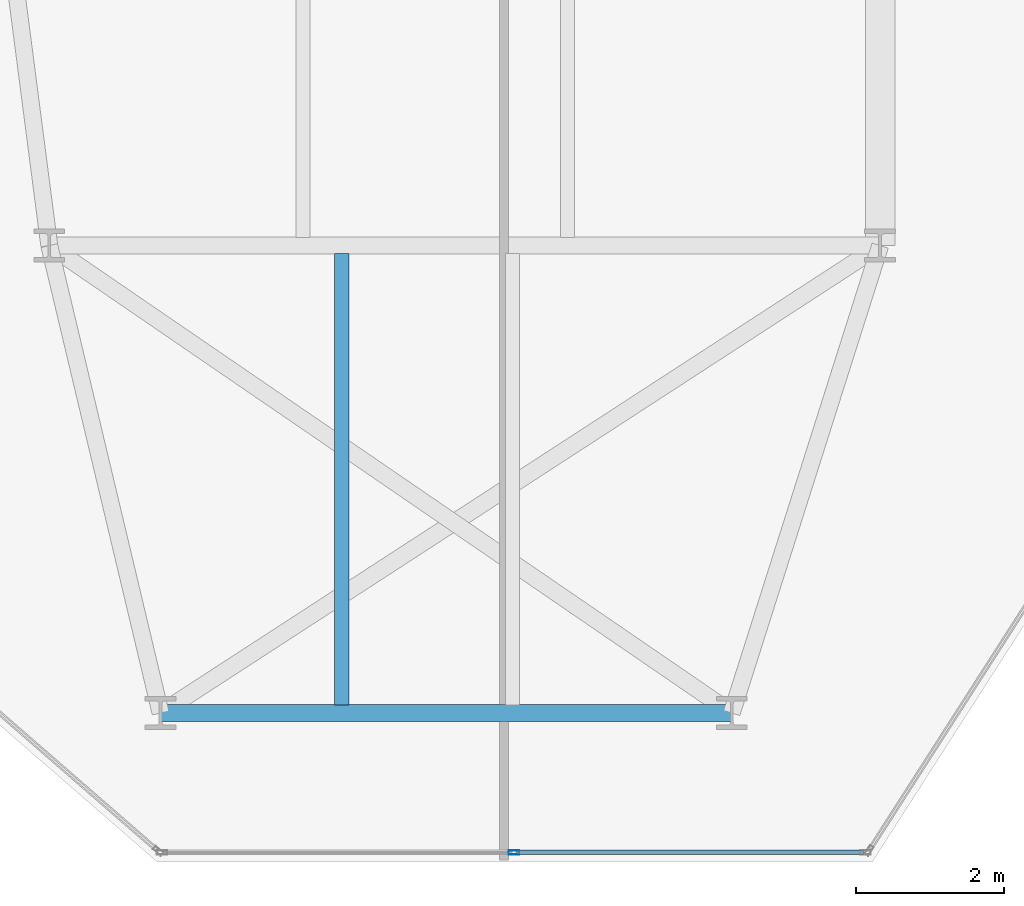
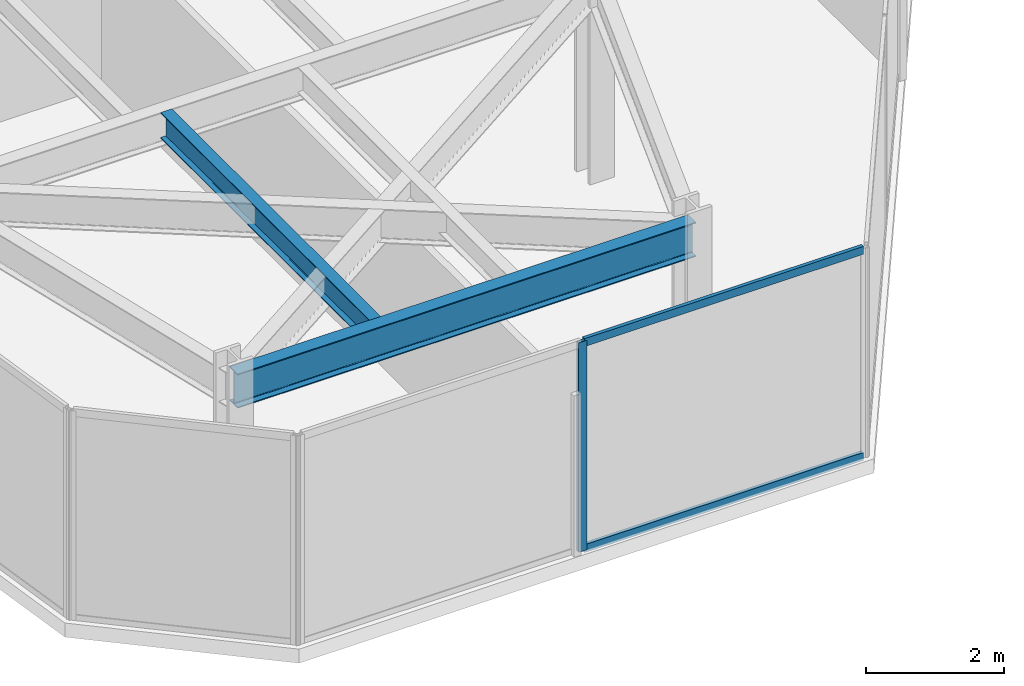
# One storey, part 3 of 26: 3 members, 2 beams, 1 element without a shape of its own.
"""IFC4 building model written with IfcOpenShell, lengths in metres."""

from ifc_helpers import new_model, si_unit, direction, frame, origin, origin_2d, place, context, subcontext, project, spatial, hollow_rectangle, i_section, extrude, material, layer, layer_set, material_profile, profile_set, type_object, element, aggregate, save


model = new_model("IFC4")

# Units and contexts
model_context = context("Model", 3, precision=1e-05, world=origin(), true_north=direction((0.0, 1.0)))
body_context = subcontext(model_context, "Body", "Model", "MODEL_VIEW")
ifc_project = project(units=[si_unit("LENGTHUNIT", "METRE"), si_unit("AREAUNIT", "SQUARE_METRE"), si_unit("VOLUMEUNIT", "CUBIC_METRE"), si_unit("PLANEANGLEUNIT", "RADIAN"), si_unit("MASSUNIT", "GRAM", prefix="KILO")], contexts=[model_context])

# Site, building, storey
site_placement = place(None, origin())
site = spatial("IfcSite", under=ifc_project, at=site_placement, CompositionType="ELEMENT")
building_placement = place(site_placement, origin())
building = spatial("IfcBuilding", under=site, at=building_placement, Name="Kravanh Interchange Tower", CompositionType="ELEMENT")
storey_placement = place(building_placement, frame((0.0, 0.0, 152.0)))
storey = spatial("IfcBuildingStorey", under=building, at=storey_placement, Name="L36", CompositionType="ELEMENT", Elevation=152.0)

# Curtain wall, members
ifc_material_1 = material(Name="Anodised Bronze Aluminium", Category="aluminium")
ifc_layer = layer(ifc_material_1, 0.179931640625)
ifc_layer_set = layer_set([ifc_layer], Name="Unitised Curtain Wall System CW-Z2 Mid Office")
curtain_wall_type = type_object("IfcCurtainWallType", Name="Unitised Curtain Wall System CW-Z2 Mid Office", PredefinedType="NOTDEFINED", material=ifc_layer_set)
curtain_wall_placement = place(storey_placement, origin())
curtain_wall = element("IfcCurtainWall", 1, at=curtain_wall_placement, inside=storey, type_object=curtain_wall_type, Name="L36 Unitised Curtain Wall CW-L36-06", PredefinedType="NOTDEFINED")
ifc_material_2 = material(Name="Anodised Bronze Aluminium", Category="aluminium")
ifc_material_profile_1 = material_profile(ifc_material_2, hollow_rectangle(XDim=0.06005859375, YDim=0.139892578125, WallThickness=0.00390625, at=origin_2d()), Name="ALU60X140X4")
ifc_profile_set_1 = profile_set([ifc_material_profile_1], Name="Anodised Bronze Aluminium")
member_type_1 = type_object("IfcMemberType", Name="Curtain Wall Mullion ALU60X140X4 Bronze", PredefinedType="MULLION", material=ifc_profile_set_1)
member_1_placement = place(storey_placement, frame((22.26220703125, 6.320068359375, 0.0), z_axis=(0.0, 0.0, 1.0), x_axis=(0.0, -1.0, 0.0)))
member_1 = element("IfcMember", 2, at=member_1_placement, type_object=member_type_1, Name="CW-Z2 mullion 2", PredefinedType="MULLION", context=body_context, shape_type="SweptSolid", body=[
    extrude(hollow_rectangle(XDim=0.06005859375, YDim=0.139892578125, WallThickness=0.00390625, at=origin_2d()), origin(), (0.0, 0.0, 1.0), 3.719970703125),
])
ifc_material_3 = material(Name="Anodised Bronze Aluminium", Category="aluminium")
ifc_material_profile_2 = material_profile(ifc_material_3, hollow_rectangle(XDim=0.06005859375, YDim=0.139892578125, WallThickness=0.00390625, at=origin_2d()), Name="ALU60X140X4")
ifc_profile_set_2 = profile_set([ifc_material_profile_2], Name="Anodised Bronze Aluminium")
member_type_2 = type_object("IfcMemberType", Name="Curtain Wall Transom ALU60X140X4 Bronze", PredefinedType="USERDEFINED", material=ifc_profile_set_2)
member_2_placement = place(storey_placement, frame((26.974365234375, 6.320068359375, 0.030029296875), z_axis=(-1.0, 0.0, 0.0), x_axis=(0.0, -1.0, 0.0)))
member_2 = element("IfcMember", 3, at=member_2_placement, type_object=member_type_2, Name="CW-Z2 transom 1.1", ObjectType="TRANSOM", PredefinedType="USERDEFINED", context=body_context, shape_type="SweptSolid", body=[
    extrude(hollow_rectangle(XDim=0.06005859375, YDim=0.139892578125, WallThickness=0.00390625, at=origin_2d()), origin(), (0.0, 0.0, 1.0), 4.682373046875),
])
member_3_placement = place(storey_placement, frame((26.974365234375, 6.320068359375, 3.68994140625), z_axis=(-1.0, 0.0, 0.0), x_axis=(0.0, -1.0, 0.0)))
member_3 = element("IfcMember", 4, at=member_3_placement, type_object=member_type_2, Name="CW-Z2 transom 1.2", ObjectType="TRANSOM", PredefinedType="USERDEFINED", context=body_context, shape_type="SweptSolid", body=[
    extrude(hollow_rectangle(XDim=0.06005859375, YDim=0.139892578125, WallThickness=0.00390625, at=origin_2d()), origin(), (0.0, 0.0, 1.0), 4.682373046875),
])
aggregate(curtain_wall, [member_1, member_2, member_3])

# Beams
ifc_material_4 = material(Name="Structural Steel S355", Category="steel")
ifc_material_profile_3 = material_profile(ifc_material_4, i_section(OverallWidth=0.18994140625, OverallDepth=0.45703125, WebThickness=0.009033203125, FlangeThickness=0.014404296875, FilletRadius=0.01806640625, at=origin_2d()), Name="W18X50")
ifc_profile_set_3 = profile_set([ifc_material_profile_3], Name="Structural Steel S355")
beam_type_1 = type_object("IfcBeamType", Name="Floor Joist W18X50 Structural Steel S355", PredefinedType="JOIST", material=ifc_profile_set_3)
beam_1_placement = place(storey_placement, frame((19.94189453125, 8.30908203125, 3.491455078125), z_axis=(0.0, 1.0, 0.0), x_axis=(-1.0, 0.0, 0.0)))
element("IfcBeam", 5, at=beam_1_placement, inside=storey, type_object=beam_type_1, Name="L36 Secondary Floor Joist 1", PredefinedType="JOIST", context=body_context, shape_type="SweptSolid", body=[
    extrude(i_section(OverallWidth=0.18994140625, OverallDepth=0.45703125, WebThickness=0.009033203125, FlangeThickness=0.014404296875, FilletRadius=0.01806640625, at=origin_2d()), origin(), (0.0, 0.0, 1.0), 6.08203125),
])
ifc_material_5 = material(Name="Structural Steel S355", Category="steel")
ifc_material_profile_4 = material_profile(ifc_material_5, i_section(OverallWidth=0.22802734375, OverallDepth=0.60791015625, WebThickness=0.01123046875, FlangeThickness=0.017333984375, FilletRadius=0.02197265625, at=origin_2d()), Name="W24X76")
ifc_profile_set_4 = profile_set([ifc_material_profile_4], Name="Structural Steel S355")
beam_type_2 = type_object("IfcBeamType", Name="Floor Spandrel W24X76 Structural Steel S355", PredefinedType="SPANDREL", material=ifc_profile_set_4)
beam_2_placement = place(storey_placement, frame((17.5, 8.199951171875, 3.416015625), z_axis=(1.0, 0.0, 0.0), x_axis=(0.0, 1.0, 0.0)))
element("IfcBeam", 6, at=beam_2_placement, inside=storey, type_object=beam_type_2, Name="L36 Perimeter Spandrel 35", PredefinedType="SPANDREL", context=body_context, shape_type="SweptSolid", body=[
    extrude(i_section(OverallWidth=0.22802734375, OverallDepth=0.60791015625, WebThickness=0.01123046875, FlangeThickness=0.017333984375, FilletRadius=0.02197265625, at=origin_2d()), origin(), (0.0, 0.0, 1.0), 7.699951171875),
])

save(model, "model.ifc")
